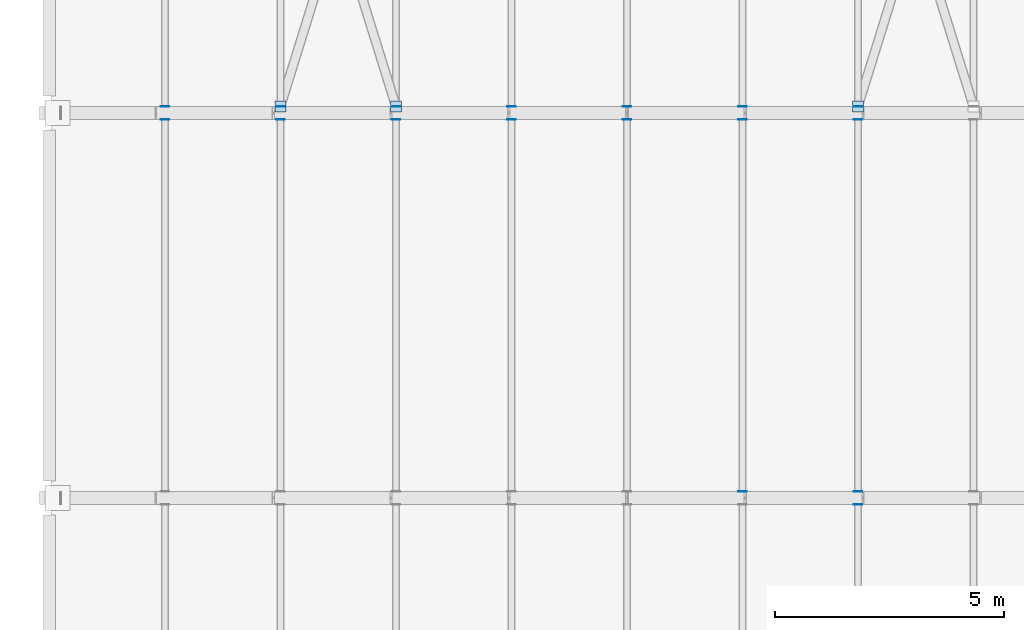
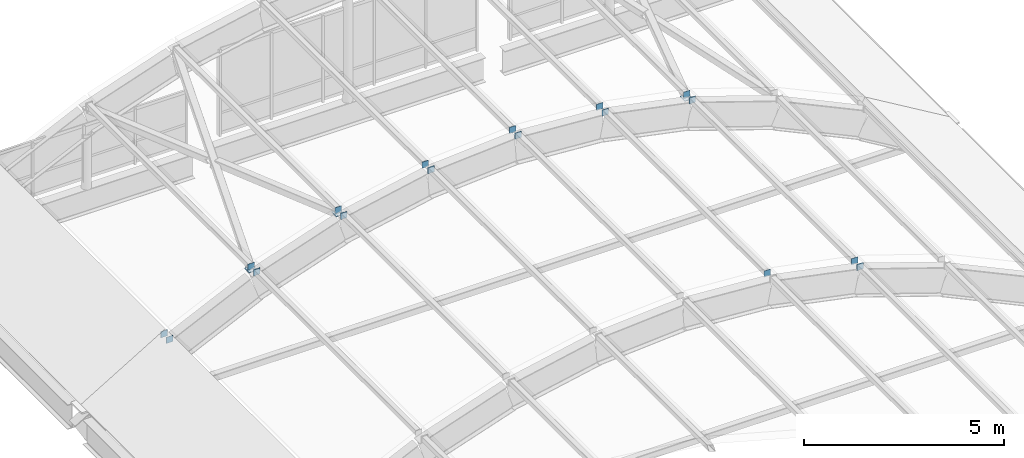
# One storey, part 86 of 107: 20 plates.
"""IFC4 building model written with IfcOpenShell, lengths in metres."""

from ifc_helpers import new_model, si_unit, direction, frame, origin, origin_2d, place, context, subcontext, project, spatial, rectangle, extrude, material, layer, layer_set, type_object, element, save


model = new_model("IFC4")

# Units and contexts
model_context = context("Model", 3, precision=1e-05, world=origin(), true_north=direction((0.0, 1.0)))
body_context = subcontext(model_context, "Body", "Model", "MODEL_VIEW")
ifc_project = project(units=[si_unit("LENGTHUNIT", "METRE"), si_unit("AREAUNIT", "SQUARE_METRE"), si_unit("VOLUMEUNIT", "CUBIC_METRE"), si_unit("PLANEANGLEUNIT", "RADIAN"), si_unit("MASSUNIT", "GRAM", prefix="KILO")], contexts=[model_context])

# Site, building, storey
site_placement = place(None, origin())
site = spatial("IfcSite", under=ifc_project, at=site_placement, CompositionType="ELEMENT")
building_placement = place(site_placement, origin())
building = spatial("IfcBuilding", under=site, at=building_placement, Name="Vireocrest Preparatory School", CompositionType="ELEMENT")
storey_placement = place(building_placement, frame((0.0, 0.0, 13.199951171875)))
storey = spatial("IfcBuildingStorey", under=building, at=storey_placement, Name="L03", CompositionType="ELEMENT", Elevation=13.199951171875)

# Plates
ifc_material = material(Name="Structural steel ASTM A572 Grade 50", Category="steel")
ifc_layer_1 = layer(ifc_material, 0.013916015625)
ifc_layer_set_1 = layer_set([ifc_layer_1], Name="Structural steel ASTM A572 Grade 50")
plate_type_1 = type_object("IfcPlateType", Name="Assembly Vault Purlin Steel End Cap Plate 14", PredefinedType="SHEET", material=ifc_layer_set_1)
for number, where, z_axis, x_axis, name in (
    (1, (160.43994140625, 35.259033203125, 3.107666015625), (0.0, 0.0, 1.0), (1.0, 0.0, 0.0), "Purlin End Cap CP3 VAULT_ASSEMBLY B2-N-8"),
    (2, (145.320068359375, 43.658935546875, 1.0810546875), (0.0, 0.0, 1.0), (1.0, 0.0, 0.0), "Purlin End Cap CP3 VAULT_ASSEMBLY B3-N-2"),
    (3, (147.840087890625, 43.658935546875, 2.26171875), (0.0, 0.0, 1.0), (1.0, 0.0, 0.0), "Purlin End Cap CP3 VAULT_ASSEMBLY B3-N-3"),
    (4, (150.360107421875, 43.658935546875, 3.107666015625), (0.0, 0.0, 1.0), (1.0, 0.0, 0.0), "Purlin End Cap CP3 VAULT_ASSEMBLY B3-N-4"),
    (5, (152.8798828125, 43.658935546875, 3.619384765625), (0.0, 0.0, 1.0), (1.0, 0.0, 0.0), "Purlin End Cap CP3 VAULT_ASSEMBLY B3-N-5"),
    (6, (155.39990234375, 43.658935546875, 3.796875), (0.0, 0.0, 1.0), (1.0, 0.0, 0.0), "Purlin End Cap CP3 VAULT_ASSEMBLY B3-N-6"),
    (7, (157.919921875, 35.541015625, 3.619384765625), (0.0, 0.0, 1.0), (1.0, 0.0, 0.0), "Purlin End Cap CP3 VAULT_ASSEMBLY B3-S-7"),
    (8, (157.919921875, 43.658935546875, 3.619384765625), (0.0, 0.0, 1.0), (1.0, 0.0, 0.0), "Purlin End Cap CP3 VAULT_ASSEMBLY B3-N-7"),
    (9, (160.43994140625, 35.541015625, 3.107666015625), (0.0, 0.0, 1.0), (1.0, 0.0, 0.0), "Purlin End Cap CP3 VAULT_ASSEMBLY B3-S-8"),
    (10, (160.43994140625, 43.658935546875, 3.107666015625), (0.0, 0.0, 1.0), (1.0, 0.0, 0.0), "Purlin End Cap CP3 VAULT_ASSEMBLY B3-N-8"),
    (11, (145.320068359375, 43.94091796875, 1.0810546875), (0.0, 0.0, 1.0), (1.0, 0.0, 0.0), "Purlin End Cap CP3 VAULT_ASSEMBLY B4-S-2"),
    (12, (147.840087890625, 43.94091796875, 2.26171875), (0.0, 0.0, 1.0), (1.0, 0.0, 0.0), "Purlin End Cap CP3 VAULT_ASSEMBLY B4-S-3"),
    (13, (150.360107421875, 43.94091796875, 3.107666015625), (0.0, 0.0, 1.0), (1.0, 0.0, 0.0), "Purlin End Cap CP3 VAULT_ASSEMBLY B4-S-4"),
    (14, (152.8798828125, 43.94091796875, 3.619384765625), (0.0, 0.0, 1.0), (1.0, 0.0, 0.0), "Purlin End Cap CP3 VAULT_ASSEMBLY B4-S-5"),
    (15, (155.39990234375, 43.94091796875, 3.796875), (0.0, 0.0, 1.0), (1.0, 0.0, 0.0), "Purlin End Cap CP3 VAULT_ASSEMBLY B4-S-6"),
    (16, (157.919921875, 43.94091796875, 3.619384765625), (0.0, 0.0, 1.0), (1.0, 0.0, 0.0), "Purlin End Cap CP3 VAULT_ASSEMBLY B4-S-7"),
    (17, (160.43994140625, 43.94091796875, 3.107666015625), (0.0, 0.0, 1.0), (1.0, 0.0, 0.0), "Purlin End Cap CP3 VAULT_ASSEMBLY B4-S-8"),
):
    element("IfcPlate", number, at=place(storey_placement, frame(where, z_axis=z_axis, x_axis=x_axis)), inside=storey, type_object=plate_type_1, Name=name, PredefinedType="SHEET", context=body_context, shape_type="SweptSolid", body=[
        extrude(rectangle(XDim=0.18798828125, YDim=0.013916015625, at=origin_2d()), origin(), (0.0, 0.0, 1.0), 0.18798828125),
    ])
ifc_layer_2 = layer(ifc_material, 0.02001953125)
ifc_layer_set_2 = layer_set([ifc_layer_2], Name="Structural steel ASTM A572 Grade 50")
plate_type_2 = type_object("IfcPlateType", Name="Hollow Section Steel End Cap Plate 20", PredefinedType="SHEET", material=ifc_layer_set_2)
for number, where, z_axis, x_axis, name in (
    (18, (147.840087890625, 43.946044921875, 2.2509765625), (0.0, 0.0, 1.0), (1.0, 0.0, 0.0), "Brace Cap Plate CP1 VAULT_ASSEMBLY-4-3A"),
    (19, (150.360107421875, 43.946044921875, 3.087158203125), (0.0, 0.0, 1.0), (1.0, 0.0, 0.0), "Brace Cap Plate CP1 VAULT_ASSEMBLY-4-3D"),
    (20, (160.43994140625, 43.946044921875, 3.087158203125), (0.0, 0.0, 1.0), (1.0, 0.0, 0.0), "Brace Cap Plate CP1 VAULT_ASSEMBLY-4-8A"),
):
    element("IfcPlate", number, at=place(storey_placement, frame(where, z_axis=z_axis, x_axis=x_axis)), inside=storey, type_object=plate_type_2, Name=name, PredefinedType="SHEET", context=body_context, shape_type="SweptSolid", body=[
        extrude(rectangle(XDim=0.239990234375, YDim=0.239990234375, at=origin_2d()), origin(), (0.0, 0.0, 1.0), 0.02001953125),
    ])

save(model, "model.ifc")
